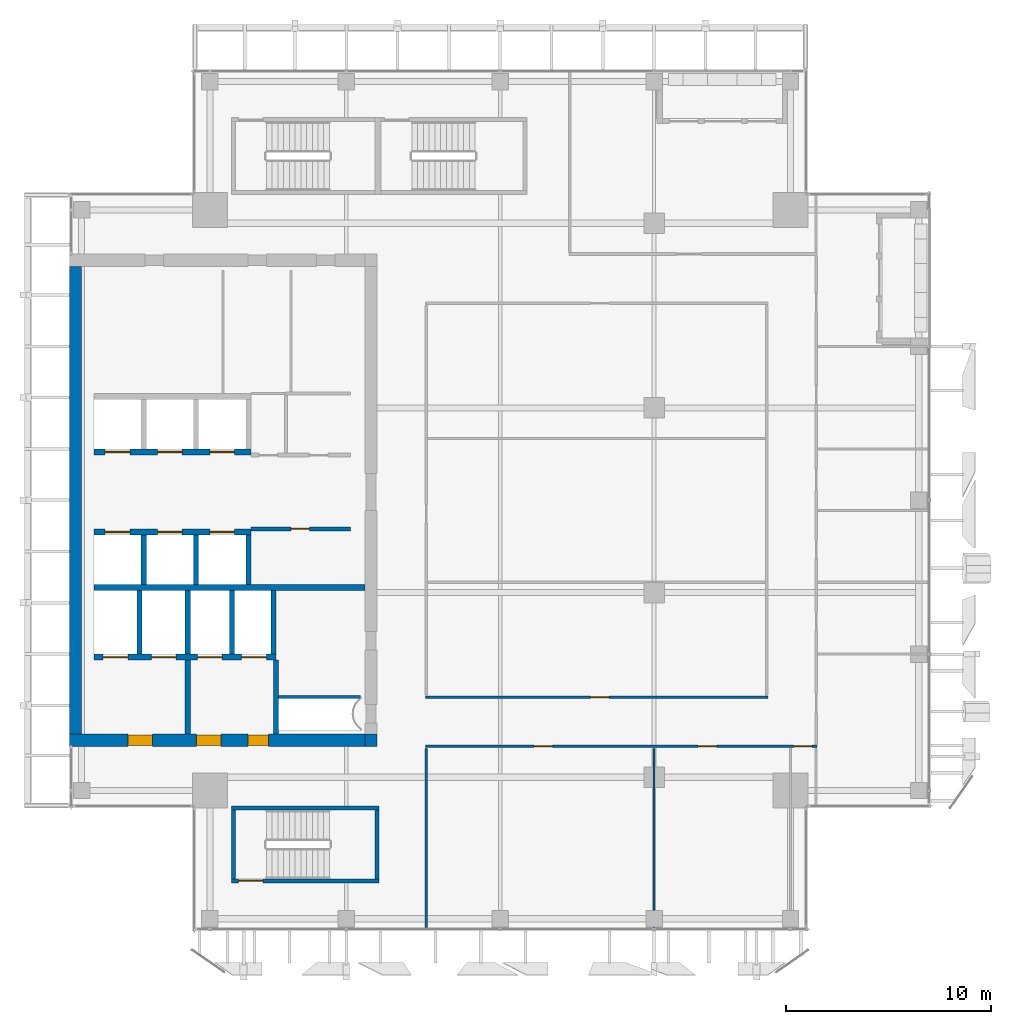
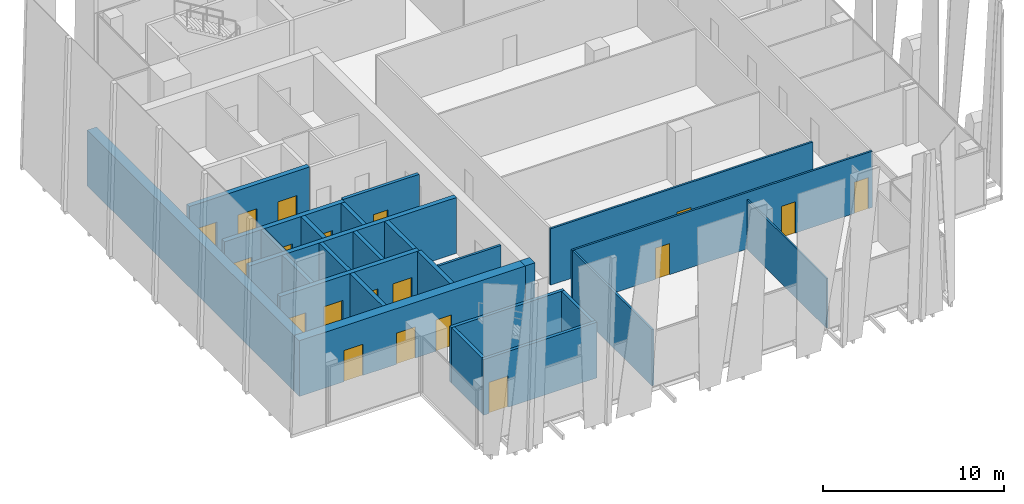
# One storey, part 26 of 33: 26 walls, 19 doors, 19 openings.
"""IFC4 building model written with IfcOpenShell, lengths in metres."""

import ifcopenshell
import ifcopenshell.guid

model = None  # the IFC model being written
_history = None  # IfcOwnerHistory: only IFC2X3 demands one
_inside = {}  # id of a spatial element -> (the spatial element, [elements in it])
_under = {}  # id of a project, library or spatial element -> (it, [spatial elements below it])
_declared = {}  # id of a project -> (the project, [libraries it declares])
_typed = {}  # id of a type object -> (the type object, [elements of that type])
_made_of = {}  # id of a material, layer set ... -> (it, [elements and type objects made of it])


def new_model(schema):
    """Start an empty IFC model of exactly this schema.

    Asked for "IFC4X3", IfcOpenShell would pick the latest addendum, in which some entities
    have other attributes; the version numbers below select the first issue.
    IFC2X3 requires an IfcOwnerHistory on every rooted entity: one is made here for all.
    """
    global model, _history
    if schema == "IFC4X3":
        model = ifcopenshell.file(schema_version=(4, 3, 0, 0))
    else:
        model = ifcopenshell.file(schema=schema)
    _inside.clear()
    _under.clear()
    _declared.clear()
    _typed.clear()
    _made_of.clear()
    _history = None
    if model.schema == "IFC2X3":
        org = make("IfcOrganization", Name="unknown")
        user = make(
            "IfcPersonAndOrganization",
            ThePerson=make("IfcPerson", FamilyName="unknown"),
            TheOrganization=org,
        )
        app = make(
            "IfcApplication",
            ApplicationDeveloper=org,
            Version="unknown",
            ApplicationFullName="unknown",
            ApplicationIdentifier="unknown",
        )
        _history = make(
            "IfcOwnerHistory",
            OwningUser=user,
            OwningApplication=app,
            ChangeAction="ADDED",
            CreationDate=0,
        )
    return model


def make(cls, **values):
    """One entity of the class cls with the attributes given. An attribute that is None is left unset."""
    return model.create_entity(
        cls, **{name: value for name, value in values.items() if value is not None}
    )


def rooted(cls, **values):
    """An entity with a GlobalId (a new one), such as an element, a storey or a relation."""
    return make(cls, GlobalId=ifcopenshell.guid.new(), OwnerHistory=_history, **values)


def si_unit(unit_type, name, prefix=None):
    """IfcSIUnit, for example si_unit("LENGTHUNIT", "METRE", prefix="MILLI")."""
    return make("IfcSIUnit", UnitType=unit_type, Prefix=prefix, Name=name)


def assignment(units):
    """IfcUnitAssignment: the units of a project."""
    return None if units is None else make("IfcUnitAssignment", Units=units)


def point(xyz):
    """IfcCartesianPoint."""
    return None if xyz is None else make("IfcCartesianPoint", Coordinates=xyz)


def direction(xyz):
    """IfcDirection."""
    return None if xyz is None else make("IfcDirection", DirectionRatios=xyz)


def frame(location, z_axis=None, x_axis=None):
    """IfcAxis2Placement3D, a coordinate frame: its origin and axes. An axis left out is left unset."""
    return make(
        "IfcAxis2Placement3D",
        Location=point(location),
        Axis=direction(z_axis),
        RefDirection=direction(x_axis),
    )


def frame_2d(location, x_axis=None):
    """IfcAxis2Placement2D, a coordinate frame in the plane: its origin and x axis."""
    return make(
        "IfcAxis2Placement2D", Location=point(location), RefDirection=direction(x_axis)
    )


def origin():
    """The frame at (0, 0, 0) with its axes left unset."""
    return frame((0.0, 0.0, 0.0))


def place(relative_to, where):
    """IfcLocalPlacement: puts the frame where relative to a parent placement (None: the world)."""
    return make(
        "IfcLocalPlacement", PlacementRelTo=relative_to, RelativePlacement=where
    )


def context(
    kind, dimensions, precision=None, world=None, true_north=None, identifier=None
):
    """IfcGeometricRepresentationContext, for example the 3D "Model" context."""
    return make(
        "IfcGeometricRepresentationContext",
        ContextIdentifier=identifier,
        ContextType=kind,
        CoordinateSpaceDimension=dimensions,
        Precision=precision,
        WorldCoordinateSystem=world,
        TrueNorth=true_north,
    )


def subcontext(parent, identifier, kind, view, scale=None):
    """IfcGeometricRepresentationSubContext, for example "Body" below "Model"."""
    return make(
        "IfcGeometricRepresentationSubContext",
        ContextIdentifier=identifier,
        ContextType=kind,
        ParentContext=parent,
        TargetScale=scale,
        TargetView=view,
    )


def project(units=None, contexts=None):
    """IfcProject with its units and contexts."""
    return rooted(
        "IfcProject",
        Name="project",
        RepresentationContexts=contexts,
        UnitsInContext=assignment(units),
    )


def spatial(cls, under=None, at=None, **own):
    """A site, building, storey or space (cls), placed at a placement, below another one or the project."""
    s = rooted(cls, ObjectPlacement=at, **own)
    if under is not None:
        _under.setdefault(under.id(), (under, []))[1].append(s)
    return s


def profile(cls, at=None, kind="AREA", **sizes):
    """A parametric profile (cls). Its sizes go by their IFC names, for example OverallWidth=200.0."""
    return make(cls, ProfileType=kind, Position=at, **sizes)


def rectangle(**sizes):
    """IfcRectangleProfileDef."""
    return profile("IfcRectangleProfileDef", **sizes)


def extrude(swept, where, along, depth):
    """IfcExtrudedAreaSolid: the profile swept, set in the frame where, extruded along a direction by depth."""
    return make(
        "IfcExtrudedAreaSolid",
        SweptArea=swept,
        Position=where,
        ExtrudedDirection=direction(along),
        Depth=depth,
    )


def shape(context_of_items, identifier, shape_type, items):
    """IfcShapeRepresentation: the items that make up one representation, for example the "Body"."""
    return make(
        "IfcShapeRepresentation",
        ContextOfItems=context_of_items,
        RepresentationIdentifier=identifier,
        RepresentationType=shape_type,
        Items=items,
    )


def source(mapping_origin, context_of_items, identifier, shape_type, items):
    """IfcRepresentationMap: a shape defined once, which mapped items show again and again."""
    return make(
        "IfcRepresentationMap",
        MappingOrigin=mapping_origin,
        MappedRepresentation=shape(context_of_items, identifier, shape_type, items),
    )


def transform(
    local_origin,
    x_axis=None,
    y_axis=None,
    z_axis=None,
    scale=None,
    scale2=None,
    scale3=None,
    uniform=True,
):
    """IfcCartesianTransformationOperator3D, or its non-uniform kind. x_axis, y_axis, z_axis: its Axis1, 2, 3."""
    if uniform:
        return make(
            "IfcCartesianTransformationOperator3D",
            Axis1=direction(x_axis),
            Axis2=direction(y_axis),
            LocalOrigin=point(local_origin),
            Scale=scale,
            Axis3=direction(z_axis),
        )
    return make(
        "IfcCartesianTransformationOperator3DnonUniform",
        Axis1=direction(x_axis),
        Axis2=direction(y_axis),
        LocalOrigin=point(local_origin),
        Scale=scale,
        Axis3=direction(z_axis),
        Scale2=scale2,
        Scale3=scale3,
    )


def mapped(mapping_source, mapping_target):
    """IfcMappedItem: shows the shape of a source again, moved by a transform."""
    return make(
        "IfcMappedItem", MappingSource=mapping_source, MappingTarget=mapping_target
    )


def material(Name=None, Category=None):
    """IfcMaterial."""
    return make("IfcMaterial", Name=Name, Category=Category)


def layer(
    of_material, thickness, ventilated=None, Name=None, Category=None, Priority=None
):
    """IfcMaterialLayer: one layer of a wall or slab, of a material (None: an air gap)."""
    return make(
        "IfcMaterialLayer",
        Material=of_material,
        LayerThickness=thickness,
        IsVentilated=ventilated,
        Name=Name,
        Category=Category,
        Priority=Priority,
    )


def layer_set(layers, Name=None):
    """IfcMaterialLayerSet."""
    return make("IfcMaterialLayerSet", MaterialLayers=layers, LayerSetName=Name)


def made_of(thing, what):
    """Note that an element or type object is made of a material, layer set ...; save() writes the relation."""
    if what is not None:
        _made_of.setdefault(what.id(), (what, []))[1].append(thing)
    return thing


def type_object(cls, material=None, **own):
    """A type object (cls), such as IfcWallType, which elements share."""
    return made_of(rooted(cls, **own), material)


def element(
    cls,
    number,
    at=None,
    inside=None,
    cuts=None,
    type_object=None,
    material=None,
    context=None,
    identifier="Body",
    shape_type=None,
    held_by="IfcProductDefinitionShape",
    body=None,
    shapes=None,
    **own,
):
    """One element of the class cls, such as IfcWall. Its Tag is "e" and its number.

    at: its placement. inside: the storey or other place that contains it. cuts: it is an
    opening in that element (IfcRelVoidsElement). A single representation is given by context,
    identifier, shape_type and body (its items); several are given by shapes. held_by: the class
    of the entity that holds the representations. save() writes the other relations.
    """
    e = rooted(cls, Tag="e%d" % number, ObjectPlacement=at, **own)
    if body is not None:
        shapes = [shape(context, identifier, shape_type, body)]
    if shapes is not None:
        e.Representation = make(held_by, Representations=shapes)
    if inside is not None:
        _inside.setdefault(inside.id(), (inside, []))[1].append(e)
    if cuts is not None:
        rooted(
            "IfcRelVoidsElement", RelatingBuildingElement=cuts, RelatedOpeningElement=e
        )
    if type_object is not None:
        _typed.setdefault(type_object.id(), (type_object, []))[1].append(e)
    return made_of(e, material)


def fill(opening, filler):
    """IfcRelFillsElement: the door or window that sits in an opening."""
    return rooted(
        "IfcRelFillsElement",
        RelatingOpeningElement=opening,
        RelatedBuildingElement=filler,
    )


def aggregate(whole, parts):
    """IfcRelAggregates: a whole, such as a stair, and the parts it consists of."""
    return rooted("IfcRelAggregates", RelatingObject=whole, RelatedObjects=parts)


def save(model, path):
    """Write the relations noted so far, then the file.

    IfcRelAggregates (storeys below a building ...), IfcRelContainedInSpatialStructure (elements
    in a storey), IfcRelDefinesByType, IfcRelAssociatesMaterial and IfcRelDeclares: one each for
    every whole, place, type object, material and project.
    """
    for whole, parts in _under.values():
        aggregate(whole, parts)
    for where, things in _inside.values():
        rooted(
            "IfcRelContainedInSpatialStructure",
            RelatedElements=things,
            RelatingStructure=where,
        )
    for kind, things in _typed.values():
        rooted("IfcRelDefinesByType", RelatedObjects=things, RelatingType=kind)
    for what, things in _made_of.values():
        rooted("IfcRelAssociatesMaterial", RelatedObjects=things, RelatingMaterial=what)
    for by, libraries in _declared.values():
        rooted("IfcRelDeclares", RelatingContext=by, RelatedDefinitions=libraries)
    model.write(path)


model = new_model("IFC4")

# Units and contexts
model_context = context("Model", 3, precision=1e-05, world=origin(), true_north=direction((0.0, 1.0)))
body_context = subcontext(model_context, "Body", "Model", "MODEL_VIEW")
ifc_project = project(units=[si_unit("LENGTHUNIT", "METRE"), si_unit("AREAUNIT", "SQUARE_METRE"), si_unit("VOLUMEUNIT", "CUBIC_METRE"), si_unit("PLANEANGLEUNIT", "RADIAN"), si_unit("MASSUNIT", "GRAM", prefix="KILO")], contexts=[model_context])

# Site, building, storey
site_placement = place(None, origin())
site = spatial("IfcSite", under=ifc_project, at=site_placement, CompositionType="ELEMENT")
building_placement = place(site_placement, origin())
building = spatial("IfcBuilding", under=site, at=building_placement, Name="Khomas Fold Tower", CompositionType="ELEMENT")
storey_placement = place(building_placement, frame((0.0, 0.0, 294.199951171875)))
storey = spatial("IfcBuildingStorey", under=building, at=storey_placement, Name="L66", CompositionType="ELEMENT", Elevation=294.199951171875)

# Wall
ifc_material_1 = material(Name="Concrete C50/60", Category="concrete")
ifc_layer_1 = layer(ifc_material_1, 0.199951171875)
ifc_layer_set_1 = layer_set([ifc_layer_1], Name="Concrete C50/60")
wall_type_1 = type_object("IfcWallType", Name="Stair wall 200", PredefinedType="SHEAR", material=ifc_layer_set_1)
shared_shape_1 = source(origin(), body_context, "Body", "SweptSolid", [
    extrude(rectangle(XDim=7.2001953125, YDim=0.199951171875, at=frame_2d((3.60009765625, 0.0))), origin(), (0.0, 0.0, 1.0), 3.75),
])
wall_1_placement = place(storey_placement, frame((13.89990234375, 12.0, 0.0), z_axis=(0.0, 0.0, 1.0), x_axis=(1.0, 0.0, 0.0)))
element("IfcWall", 1, at=wall_1_placement, inside=storey, type_object=wall_type_1, Name="Stair wall SW-ST2-NH", PredefinedType="SHEAR", context=body_context, shape_type="MappedRepresentation", body=[
    mapped(shared_shape_1, transform((0.0, 0.0, 0.0))),
])

# Wall, opening, door
wall_2_placement = place(storey_placement, frame((13.89990234375, 8.449951171875, 0.0), z_axis=(0.0, 0.0, 1.0), x_axis=(1.0, 0.0, 0.0)))
wall_2 = element("IfcWall", 2, at=wall_2_placement, inside=storey, type_object=wall_type_1, Name="Stair wall SW-ST2-S", PredefinedType="SHEAR", context=body_context, shape_type="MappedRepresentation", body=[
    mapped(shared_shape_1, transform((0.0, 0.0, 0.0))),
])
shared_shape_2 = source(origin(), body_context, "Body", "SweptSolid", [
    extrude(rectangle(XDim=1.199951171875, YDim=2.10009765625, at=frame_2d((0.60009765625, 1.050048828125))), frame((0.0, 0.10986328125, 0.0), z_axis=(0.0, -1.0, 0.0), x_axis=(1.0, 0.0, 0.0)), (0.0, 0.0, 1.0), 0.219970703125),
])
opening_1_placement = place(wall_2_placement, frame((0.35009765625, 0.0, 0.0)))
opening_1 = element("IfcOpeningElement", 3, at=opening_1_placement, cuts=wall_2, Name="Opening SD-ST2", PredefinedType="OPENING", context=body_context, shape_type="MappedRepresentation", body=[
    mapped(shared_shape_2, transform((0.0, 0.0, 0.0))),
])
ifc_material_2 = material(Name="Steel door leaf", Category="steel")
door_type_1 = type_object("IfcDoorType", Name="Stair door 1200x2100 right-hand", OperationType="SINGLE_SWING_RIGHT", PredefinedType="DOOR", material=ifc_material_2)
shared_shape_3 = source(origin(), body_context, "Body", "SweptSolid", [
    extrude(rectangle(XDim=1.199951171875, YDim=2.10009765625, at=frame_2d((0.60009765625, 1.050048828125))), frame((0.0, 0.02490234375, 0.0), z_axis=(0.0, -1.0, 0.0), x_axis=(1.0, 0.0, 0.0)), (0.0, 0.0, 1.0), 0.050048828125),
])
door_1_placement = place(opening_1_placement, origin())
door_1 = element("IfcDoor", 4, at=door_1_placement, inside=storey, type_object=door_type_1, Name="Stair door", OperationType="SINGLE_SWING_RIGHT", OverallHeight=2.10009765625, OverallWidth=1.199951171875, PredefinedType="DOOR", context=body_context, shape_type="MappedRepresentation", body=[
    mapped(shared_shape_3, transform((0.0, 0.0, 0.0))),
])
fill(opening_1, door_1)

# Walls
shared_shape_4 = source(origin(), body_context, "Body", "SweptSolid", [
    extrude(rectangle(XDim=3.349853515625, YDim=0.199951171875, at=frame_2d((1.6748046875, 0.0))), origin(), (0.0, 0.0, 1.0), 3.75),
])
for number, where, z_axis, x_axis, name in (
    (5, (21.0, 8.550048828125, 0.0), (0.0, 0.0, 1.0), (0.0, 1.0, 0.0), "Stair wall SW-ST2-E"),
    (6, (14.0, 8.550048828125, 0.0), (0.0, 0.0, 1.0), (0.0, 1.0, 0.0), "Stair wall SW-ST2-W"),
):
    element("IfcWall", number, at=place(storey_placement, frame(where, z_axis=z_axis, x_axis=x_axis)), inside=storey, type_object=wall_type_1, Name=name, PredefinedType="SHEAR", context=body_context, shape_type="MappedRepresentation", body=[
        mapped(shared_shape_4, transform((0.0, 0.0, 0.0))),
    ])
ifc_material_3 = material(Name="Concrete C50/60", Category="concrete")
ifc_layer_2 = layer(ifc_material_3, 0.25)
ifc_layer_set_2 = layer_set([ifc_layer_2], Name="Concrete C50/60")
wall_type_2 = type_object("IfcWallType", Name="Shaft wall 250", PredefinedType="STANDARD", material=ifc_layer_set_2)
shared_shape_5 = source(origin(), body_context, "Body", "SweptSolid", [
    extrude(rectangle(XDim=3.10009765625, YDim=0.25, at=frame_2d((1.550048828125, 0.0))), origin(), (0.0, 0.0, 1.0), 3.75),
])
for number, where, z_axis, x_axis, name in (
    (7, (9.425048828125, 19.5, 0.0), (0.0, 0.0, 1.0), (0.0, 1.0, 0.0), "Core wall SW-FS-P1"),
    (8, (11.77490234375, 19.5, 0.0), (0.0, 0.0, 1.0), (0.0, 1.0, 0.0), "Core wall SW-FS-P2"),
    (9, (13.925048828125, 19.5, 0.0), (0.0, 0.0, 1.0), (0.0, 1.0, 0.0), "Core wall SW-FS-P3"),
    (10, (15.949951171875, 19.5, 0.0), (0.0, 0.0, 1.0), (0.0, 1.0, 0.0), "Core wall SW-FS-PE"),
):
    element("IfcWall", number, at=place(storey_placement, frame(where, z_axis=z_axis, x_axis=x_axis)), inside=storey, type_object=wall_type_2, Name=name, PredefinedType="STANDARD", context=body_context, shape_type="MappedRepresentation", body=[
        mapped(shared_shape_5, transform((0.0, 0.0, 0.0))),
    ])
shared_shape_6 = source(origin(), body_context, "Body", "SweptSolid", [
    extrude(rectangle(XDim=2.400146484375, YDim=0.25, at=frame_2d((1.2001953125, 0.0))), origin(), (0.0, 0.0, 1.0), 3.75),
])
for number, where, z_axis, x_axis, name in (
    (11, (9.625, 22.89990234375, 0.0), (0.0, 0.0, 1.0), (0.0, 1.0, 0.0), "Core wall SW-HRS-P1"),
    (12, (12.175048828125, 22.89990234375, 0.0), (0.0, 0.0, 1.0), (0.0, 1.0, 0.0), "Core wall SW-HRS-P2"),
    (13, (14.72509765625, 22.89990234375, 0.0), (0.0, 0.0, 1.0), (0.0, 1.0, 0.0), "Core wall SW-HRS-PE"),
):
    element("IfcWall", number, at=place(storey_placement, frame(where, z_axis=z_axis, x_axis=x_axis)), inside=storey, type_object=wall_type_2, Name=name, PredefinedType="STANDARD", context=body_context, shape_type="MappedRepresentation", body=[
        mapped(shared_shape_6, transform((0.0, 0.0, 0.0))),
    ])

# Wall, openings, doors
ifc_material_4 = material(Name="Concrete C50/60", Category="concrete")
ifc_layer_3 = layer(ifc_material_4, 0.60009765625)
ifc_layer_set_3 = layer_set([ifc_layer_3], Name="Concrete C50/60")
wall_type_3 = type_object("IfcWallType", Name="Core wall 600", PredefinedType="SHEAR", material=ifc_layer_set_3)
shared_shape_7 = source(origin(), body_context, "Body", "SweptSolid", [
    extrude(rectangle(XDim=14.39990234375, YDim=0.60009765625, at=frame_2d((7.199951171875, 0.0))), origin(), (0.0, 0.0, 1.0), 3.75),
])
wall_3_placement = place(storey_placement, frame((6.0, 15.300048828125, 0.0), z_axis=(0.0, 0.0, 1.0), x_axis=(1.0, 0.0, 0.0)))
wall_3 = element("IfcWall", 14, at=wall_3_placement, inside=storey, type_object=wall_type_3, Name="Core wall CW-U-S-L63", PredefinedType="SHEAR", context=body_context, shape_type="MappedRepresentation", body=[
    mapped(shared_shape_7, transform((0.0, 0.0, 0.0))),
])
shared_shape_8 = source(origin(), body_context, "Body", "SweptSolid", [
    extrude(rectangle(XDim=1.199951171875, YDim=2.10009765625, at=frame_2d((0.60009765625, 1.050048828125))), frame((0.0, 0.31005859375, 0.0), z_axis=(0.0, -1.0, 0.0), x_axis=(1.0, 0.0, 0.0)), (0.0, 0.0, 1.0), 0.6201171875),
])
opening_2_placement = place(wall_3_placement, frame((6.199951171875, 0.0, 0.0)))
opening_2 = element("IfcOpeningElement", 15, at=opening_2_placement, cuts=wall_3, Name="Opening 0009", PredefinedType="OPENING", context=body_context, shape_type="MappedRepresentation", body=[
    mapped(shared_shape_8, transform((0.0, 0.0, 0.0))),
])
opening_3_placement = place(wall_3_placement, frame((2.85009765625, 0.0, 0.0)))
opening_3 = element("IfcOpeningElement", 16, at=opening_3_placement, cuts=wall_3, Name="Opening 0009", PredefinedType="OPENING", context=body_context, shape_type="MappedRepresentation", body=[
    mapped(shared_shape_8, transform((0.0, 0.0, 0.0))),
])
shared_shape_9 = source(origin(), body_context, "Body", "SweptSolid", [
    extrude(rectangle(XDim=1.0, YDim=2.10009765625, at=frame_2d((0.5, 1.050048828125))), frame((0.0, 0.31005859375, 0.0), z_axis=(0.0, -1.0, 0.0), x_axis=(1.0, 0.0, 0.0)), (0.0, 0.0, 1.0), 0.6201171875),
])
opening_4_placement = place(wall_3_placement, frame((8.699951171875, 0.0, 0.0)))
opening_4 = element("IfcOpeningElement", 17, at=opening_4_placement, cuts=wall_3, Name="Opening 0010", PredefinedType="OPENING", context=body_context, shape_type="MappedRepresentation", body=[
    mapped(shared_shape_9, transform((0.0, 0.0, 0.0))),
])
ifc_material_5 = material(Name="Steel door leaf", Category="steel")
door_type_2 = type_object("IfcDoorType", Name="Stair door 1000x2100 right-hand", OperationType="SINGLE_SWING_RIGHT", PredefinedType="DOOR", material=ifc_material_5)
shared_shape_10 = source(origin(), body_context, "Body", "SweptSolid", [
    extrude(rectangle(XDim=1.0, YDim=2.10009765625, at=frame_2d((0.5, 1.050048828125))), frame((0.0, 0.25, 0.0), z_axis=(0.0, -1.0, 0.0), x_axis=(1.0, 0.0, 0.0)), (0.0, 0.0, 1.0), 0.5),
])
door_2_placement = place(opening_4_placement, origin())
door_2 = element("IfcDoor", 18, at=door_2_placement, inside=storey, type_object=door_type_2, Name="Stair door", OperationType="SINGLE_SWING_RIGHT", OverallHeight=2.10009765625, OverallWidth=1.0, PredefinedType="DOOR", context=body_context, shape_type="MappedRepresentation", body=[
    mapped(shared_shape_10, transform((0.0, 0.0, 0.0))),
])
fill(opening_4, door_2)
ifc_material_6 = material(Name="Steel door leaf", Category="steel")
door_type_3 = type_object("IfcDoorType", Name="Lobby door 1200x2100 right-hand", OperationType="SINGLE_SWING_RIGHT", PredefinedType="DOOR", material=ifc_material_6)
shared_shape_11 = source(origin(), body_context, "Body", "SweptSolid", [
    extrude(rectangle(XDim=1.199951171875, YDim=2.10009765625, at=frame_2d((0.60009765625, 1.050048828125))), frame((0.0, 0.25, 0.0), z_axis=(0.0, -1.0, 0.0), x_axis=(1.0, 0.0, 0.0)), (0.0, 0.0, 1.0), 0.5),
])
door_3_placement = place(opening_2_placement, origin())
door_3 = element("IfcDoor", 19, at=door_3_placement, inside=storey, type_object=door_type_3, Name="Lobby door", OperationType="SINGLE_SWING_RIGHT", OverallHeight=2.10009765625, OverallWidth=1.199951171875, PredefinedType="DOOR", context=body_context, shape_type="MappedRepresentation", body=[
    mapped(shared_shape_11, transform((0.0, 0.0, 0.0))),
])
fill(opening_2, door_3)
door_4_placement = place(opening_3_placement, origin())
door_4 = element("IfcDoor", 20, at=door_4_placement, inside=storey, type_object=door_type_3, Name="Lobby door", OperationType="SINGLE_SWING_RIGHT", OverallHeight=2.10009765625, OverallWidth=1.199951171875, PredefinedType="DOOR", context=body_context, shape_type="MappedRepresentation", body=[
    mapped(shared_shape_11, transform((0.0, 0.0, 0.0))),
])
fill(opening_3, door_4)

# Walls
ifc_material_7 = material(Name="Concrete C50/60", Category="concrete")
ifc_layer_4 = layer(ifc_material_7, 0.60009765625)
ifc_layer_set_4 = layer_set([ifc_layer_4], Name="Concrete C50/60")
wall_type_4 = type_object("IfcWallType", Name="Core corner wall 600", PredefinedType="SHEAR", material=ifc_layer_set_4)
shared_shape_12 = source(origin(), body_context, "Body", "SweptSolid", [
    extrude(rectangle(XDim=0.60009765625, YDim=0.60009765625, at=frame_2d((0.300048828125, 0.0))), origin(), (0.0, 0.0, 1.0), 3.75),
])
wall_4_placement = place(storey_placement, frame((20.39990234375, 15.300048828125, 0.0), z_axis=(0.0, 0.0, 1.0), x_axis=(1.0, 0.0, 0.0)))
element("IfcWall", 21, at=wall_4_placement, inside=storey, type_object=wall_type_4, Name="Core wall CW-U-SE-L63", PredefinedType="SHEAR", context=body_context, shape_type="MappedRepresentation", body=[
    mapped(shared_shape_12, transform((0.0, 0.0, 0.0))),
])
shared_shape_13 = source(origin(), body_context, "Body", "SweptSolid", [
    extrude(rectangle(XDim=22.7998046875, YDim=0.60009765625, at=frame_2d((11.39990234375, 0.0))), origin(), (0.0, 0.0, 1.0), 3.75),
])
wall_5_placement = place(storey_placement, frame((6.300048828125, 15.60009765625, 0.0), z_axis=(0.0, 0.0, 1.0), x_axis=(0.0, 1.0, 0.0)))
element("IfcWall", 22, at=wall_5_placement, inside=storey, type_object=wall_type_3, Name="Core wall CW-U-W-L63", PredefinedType="SHEAR", context=body_context, shape_type="MappedRepresentation", body=[
    mapped(shared_shape_13, transform((0.0, 0.0, 0.0))),
])
ifc_material_8 = material(Name="Concrete C50/60", Category="concrete")
ifc_layer_5 = layer(ifc_material_8, 0.300048828125)
ifc_layer_set_5 = layer_set([ifc_layer_5], Name="Concrete C50/60")
wall_type_5 = type_object("IfcWallType", Name="Shaft wall 300", PredefinedType="STANDARD", material=ifc_layer_set_5)
shared_shape_14 = source(origin(), body_context, "Body", "SweptSolid", [
    extrude(rectangle(XDim=13.199951171875, YDim=0.300048828125, at=frame_2d((6.60009765625, 0.0))), origin(), (0.0, 0.0, 1.0), 3.75),
])
wall_6_placement = place(storey_placement, frame((7.199951171875, 22.75, 0.0), z_axis=(0.0, 0.0, 1.0), x_axis=(1.0, 0.0, 0.0)))
element("IfcWall", 23, at=wall_6_placement, inside=storey, type_object=wall_type_5, Name="Core wall SW-FS-B", PredefinedType="STANDARD", context=body_context, shape_type="MappedRepresentation", body=[
    mapped(shared_shape_14, transform((0.0, 0.0, 0.0))),
])

# Wall, openings, doors
shared_shape_15 = source(origin(), body_context, "Body", "SweptSolid", [
    extrude(rectangle(XDim=8.875, YDim=0.300048828125, at=frame_2d((4.4375, 0.0))), origin(), (0.0, 0.0, 1.0), 3.75),
])
wall_7_placement = place(storey_placement, frame((7.199951171875, 19.35009765625, 0.0), z_axis=(0.0, 0.0, 1.0), x_axis=(1.0, 0.0, 0.0)))
wall_7 = element("IfcWall", 24, at=wall_7_placement, inside=storey, type_object=wall_type_5, Name="Core wall SW-FS-F", PredefinedType="STANDARD", context=body_context, shape_type="MappedRepresentation", body=[
    mapped(shared_shape_15, transform((0.0, 0.0, 0.0))),
])
shared_shape_16 = source(origin(), body_context, "Body", "SweptSolid", [
    extrude(rectangle(XDim=1.199951171875, YDim=2.10009765625, at=frame_2d((0.60009765625, 1.050048828125))), frame((0.0, 0.159912109375, 0.0), z_axis=(0.0, -1.0, 0.0), x_axis=(1.0, 0.0, 0.0)), (0.0, 0.0, 1.0), 0.320068359375),
])
opening_5_placement = place(wall_7_placement, frame((0.449951171875, 0.0, 0.0)))
opening_5 = element("IfcOpeningElement", 25, at=opening_5_placement, cuts=wall_7, Name="Opening LD-SV1", PredefinedType="OPENING", context=body_context, shape_type="MappedRepresentation", body=[
    mapped(shared_shape_16, transform((0.0, 0.0, 0.0))),
])
opening_6_placement = place(wall_7_placement, frame((2.800048828125, 0.0, 0.0)))
opening_6 = element("IfcOpeningElement", 26, at=opening_6_placement, cuts=wall_7, Name="Opening LD-SV2", PredefinedType="OPENING", context=body_context, shape_type="MappedRepresentation", body=[
    mapped(shared_shape_16, transform((0.0, 0.0, 0.0))),
])
opening_7_placement = place(wall_7_placement, frame((5.050048828125, 0.0, 0.0)))
opening_7 = element("IfcOpeningElement", 27, at=opening_7_placement, cuts=wall_7, Name="Opening LD-FF1", PredefinedType="OPENING", context=body_context, shape_type="MappedRepresentation", body=[
    mapped(shared_shape_16, transform((0.0, 0.0, 0.0))),
])
opening_8_placement = place(wall_7_placement, frame((7.199951171875, 0.0, 0.0)))
opening_8 = element("IfcOpeningElement", 28, at=opening_8_placement, cuts=wall_7, Name="Opening LD-FF2", PredefinedType="OPENING", context=body_context, shape_type="MappedRepresentation", body=[
    mapped(shared_shape_16, transform((0.0, 0.0, 0.0))),
])
ifc_material_9 = material(Name="Steel door leaf", Category="steel")
door_type_4 = type_object("IfcDoorType", Name="Landing door 1200x2100", OperationType="DOUBLE_DOOR_SLIDING", PredefinedType="DOOR", material=ifc_material_9)
door_5_placement = place(opening_5_placement, origin())
door_5 = element("IfcDoor", 29, at=door_5_placement, inside=storey, type_object=door_type_4, Name="Lift landing door", OperationType="DOUBLE_DOOR_SLIDING", OverallHeight=2.10009765625, OverallWidth=1.199951171875, PredefinedType="DOOR", context=body_context, shape_type="MappedRepresentation", body=[
    mapped(shared_shape_3, transform((0.0, 0.0, 0.0))),
])
fill(opening_5, door_5)
door_6_placement = place(opening_6_placement, origin())
door_6 = element("IfcDoor", 30, at=door_6_placement, inside=storey, type_object=door_type_4, Name="Lift landing door", OperationType="DOUBLE_DOOR_SLIDING", OverallHeight=2.10009765625, OverallWidth=1.199951171875, PredefinedType="DOOR", context=body_context, shape_type="MappedRepresentation", body=[
    mapped(shared_shape_3, transform((0.0, 0.0, 0.0))),
])
fill(opening_6, door_6)
door_7_placement = place(opening_7_placement, origin())
door_7 = element("IfcDoor", 31, at=door_7_placement, inside=storey, type_object=door_type_4, Name="Lift landing door", OperationType="DOUBLE_DOOR_SLIDING", OverallHeight=2.10009765625, OverallWidth=1.199951171875, PredefinedType="DOOR", context=body_context, shape_type="MappedRepresentation", body=[
    mapped(shared_shape_3, transform((0.0, 0.0, 0.0))),
])
fill(opening_7, door_7)
door_8_placement = place(opening_8_placement, origin())
door_8 = element("IfcDoor", 32, at=door_8_placement, inside=storey, type_object=door_type_4, Name="Lift landing door", OperationType="DOUBLE_DOOR_SLIDING", OverallHeight=2.10009765625, OverallWidth=1.199951171875, PredefinedType="DOOR", context=body_context, shape_type="MappedRepresentation", body=[
    mapped(shared_shape_3, transform((0.0, 0.0, 0.0))),
])
fill(opening_8, door_8)

shared_shape_17 = source(origin(), body_context, "Body", "SweptSolid", [
    extrude(rectangle(XDim=7.650146484375, YDim=0.300048828125, at=frame_2d((3.8251953125, 0.0))), origin(), (0.0, 0.0, 1.0), 3.75),
])
wall_8_placement = place(storey_placement, frame((7.199951171875, 29.35009765625, 0.0), z_axis=(0.0, 0.0, 1.0), x_axis=(1.0, 0.0, 0.0)))
wall_8 = element("IfcWall", 33, at=wall_8_placement, inside=storey, type_object=wall_type_5, Name="Core wall SW-HRN-F", PredefinedType="STANDARD", context=body_context, shape_type="MappedRepresentation", body=[
    mapped(shared_shape_17, transform((0.0, 0.0, 0.0))),
])
opening_9_placement = place(wall_8_placement, frame((0.550048828125, 0.0, 0.0)))
opening_9 = element("IfcOpeningElement", 34, at=opening_9_placement, cuts=wall_8, Name="Opening LD-HR4", PredefinedType="OPENING", context=body_context, shape_type="MappedRepresentation", body=[
    mapped(shared_shape_16, transform((0.0, 0.0, 0.0))),
])
opening_10_placement = place(wall_8_placement, frame((3.10009765625, 0.0, 0.0)))
opening_10 = element("IfcOpeningElement", 35, at=opening_10_placement, cuts=wall_8, Name="Opening LD-HR5", PredefinedType="OPENING", context=body_context, shape_type="MappedRepresentation", body=[
    mapped(shared_shape_16, transform((0.0, 0.0, 0.0))),
])
opening_11_placement = place(wall_8_placement, frame((5.64990234375, 0.0, 0.0)))
opening_11 = element("IfcOpeningElement", 36, at=opening_11_placement, cuts=wall_8, Name="Opening LD-HR6", PredefinedType="OPENING", context=body_context, shape_type="MappedRepresentation", body=[
    mapped(shared_shape_16, transform((0.0, 0.0, 0.0))),
])
door_9_placement = place(opening_9_placement, origin())
door_9 = element("IfcDoor", 37, at=door_9_placement, inside=storey, type_object=door_type_4, Name="Lift landing door", OperationType="DOUBLE_DOOR_SLIDING", OverallHeight=2.10009765625, OverallWidth=1.199951171875, PredefinedType="DOOR", context=body_context, shape_type="MappedRepresentation", body=[
    mapped(shared_shape_3, transform((0.0, 0.0, 0.0))),
])
fill(opening_9, door_9)
door_10_placement = place(opening_10_placement, origin())
door_10 = element("IfcDoor", 38, at=door_10_placement, inside=storey, type_object=door_type_4, Name="Lift landing door", OperationType="DOUBLE_DOOR_SLIDING", OverallHeight=2.10009765625, OverallWidth=1.199951171875, PredefinedType="DOOR", context=body_context, shape_type="MappedRepresentation", body=[
    mapped(shared_shape_3, transform((0.0, 0.0, 0.0))),
])
fill(opening_10, door_10)
door_11_placement = place(opening_11_placement, origin())
door_11 = element("IfcDoor", 39, at=door_11_placement, inside=storey, type_object=door_type_4, Name="Lift landing door", OperationType="DOUBLE_DOOR_SLIDING", OverallHeight=2.10009765625, OverallWidth=1.199951171875, PredefinedType="DOOR", context=body_context, shape_type="MappedRepresentation", body=[
    mapped(shared_shape_3, transform((0.0, 0.0, 0.0))),
])
fill(opening_11, door_11)

wall_9_placement = place(storey_placement, frame((7.199951171875, 25.449951171875, 0.0), z_axis=(0.0, 0.0, 1.0), x_axis=(1.0, 0.0, 0.0)))
wall_9 = element("IfcWall", 40, at=wall_9_placement, inside=storey, type_object=wall_type_5, Name="Core wall SW-HRS-F", PredefinedType="STANDARD", context=body_context, shape_type="MappedRepresentation", body=[
    mapped(shared_shape_17, transform((0.0, 0.0, 0.0))),
])
opening_12_placement = place(wall_9_placement, frame((0.550048828125, 0.0, 0.0)))
opening_12 = element("IfcOpeningElement", 41, at=opening_12_placement, cuts=wall_9, Name="Opening LD-HR1", PredefinedType="OPENING", context=body_context, shape_type="MappedRepresentation", body=[
    mapped(shared_shape_16, transform((0.0, 0.0, 0.0))),
])
opening_13_placement = place(wall_9_placement, frame((3.10009765625, 0.0, 0.0)))
opening_13 = element("IfcOpeningElement", 42, at=opening_13_placement, cuts=wall_9, Name="Opening LD-HR2", PredefinedType="OPENING", context=body_context, shape_type="MappedRepresentation", body=[
    mapped(shared_shape_16, transform((0.0, 0.0, 0.0))),
])
opening_14_placement = place(wall_9_placement, frame((5.64990234375, 0.0, 0.0)))
opening_14 = element("IfcOpeningElement", 43, at=opening_14_placement, cuts=wall_9, Name="Opening LD-HR3", PredefinedType="OPENING", context=body_context, shape_type="MappedRepresentation", body=[
    mapped(shared_shape_16, transform((0.0, 0.0, 0.0))),
])
door_12_placement = place(opening_12_placement, origin())
door_12 = element("IfcDoor", 44, at=door_12_placement, inside=storey, type_object=door_type_4, Name="Lift landing door", OperationType="DOUBLE_DOOR_SLIDING", OverallHeight=2.10009765625, OverallWidth=1.199951171875, PredefinedType="DOOR", context=body_context, shape_type="MappedRepresentation", body=[
    mapped(shared_shape_3, transform((0.0, 0.0, 0.0))),
])
fill(opening_12, door_12)
door_13_placement = place(opening_13_placement, origin())
door_13 = element("IfcDoor", 45, at=door_13_placement, inside=storey, type_object=door_type_4, Name="Lift landing door", OperationType="DOUBLE_DOOR_SLIDING", OverallHeight=2.10009765625, OverallWidth=1.199951171875, PredefinedType="DOOR", context=body_context, shape_type="MappedRepresentation", body=[
    mapped(shared_shape_3, transform((0.0, 0.0, 0.0))),
])
fill(opening_13, door_13)
door_14_placement = place(opening_14_placement, origin())
door_14 = element("IfcDoor", 46, at=door_14_placement, inside=storey, type_object=door_type_4, Name="Lift landing door", OperationType="DOUBLE_DOOR_SLIDING", OverallHeight=2.10009765625, OverallWidth=1.199951171875, PredefinedType="DOOR", context=body_context, shape_type="MappedRepresentation", body=[
    mapped(shared_shape_3, transform((0.0, 0.0, 0.0))),
])
fill(opening_14, door_14)

# Walls
ifc_material_10 = material(Name="Concrete C50/60", Category="concrete")
ifc_layer_6 = layer(ifc_material_10, 0.25)
ifc_layer_set_6 = layer_set([ifc_layer_6], Name="Concrete C50/60")
wall_type_6 = type_object("IfcWallType", Name="Lobby wall 250", PredefinedType="STANDARD", material=ifc_layer_set_6)
shared_shape_18 = source(origin(), body_context, "Body", "SweptSolid", [
    extrude(rectangle(XDim=3.599853515625, YDim=0.25, at=frame_2d((1.7998046875, 0.0))), origin(), (0.0, 0.0, 1.0), 3.75),
])
for number, where, z_axis, x_axis, name in (
    (47, (16.074951171875, 15.60009765625, 0.0), (0.0, 0.0, 1.0), (0.0, 1.0, 0.0), "Core wall SW-FS-LOB-E"),
    (48, (11.77490234375, 15.60009765625, 0.0), (0.0, 0.0, 1.0), (0.0, 1.0, 0.0), "Core wall SW-FS-SEP"),
):
    element("IfcWall", number, at=place(storey_placement, frame(where, z_axis=z_axis, x_axis=x_axis)), inside=storey, type_object=wall_type_6, Name=name, PredefinedType="STANDARD", context=body_context, shape_type="MappedRepresentation", body=[
        mapped(shared_shape_18, transform((0.0, 0.0, 0.0))),
    ])
ifc_material_11 = material(Name="Plasterboard fire partition")
ifc_layer_7 = layer(ifc_material_11, 0.14990234375)
ifc_layer_set_7 = layer_set([ifc_layer_7], Name="Plasterboard fire partition")
wall_type_7 = type_object("IfcWallType", Name="Plant room wall PW3 150", PredefinedType="PARTITIONING", material=ifc_layer_set_7)
shared_shape_19 = source(origin(), body_context, "Body", "SweptSolid", [
    extrude(rectangle(XDim=4.0, YDim=0.14990234375, at=frame_2d((2.0, 0.0))), origin(), (0.0, 0.0, 1.0), 3.800048828125),
])
wall_10_placement = place(storey_placement, frame((16.199951171875, 17.39990234375, 0.0), z_axis=(0.0, 0.0, 1.0), x_axis=(1.0, 0.0, 0.0)))
element("IfcWall", 49, at=wall_10_placement, inside=storey, type_object=wall_type_7, Name="Plant room wall", PredefinedType="PARTITIONING", context=body_context, shape_type="MappedRepresentation", body=[
    mapped(shared_shape_19, transform((0.0, 0.0, 0.0))),
])

# Wall, opening, door
ifc_material_12 = material(Name="Concrete C30/37", Category="concrete")
ifc_layer_8 = layer(ifc_material_12, 0.199951171875)
ifc_layer_set_8 = layer_set([ifc_layer_8], Name="Concrete C30/37")
wall_type_8 = type_object("IfcWallType", Name="Lobby wall PW4 200", PredefinedType="PARTITIONING", material=ifc_layer_set_8)
shared_shape_20 = source(origin(), body_context, "Body", "SweptSolid", [
    extrude(rectangle(XDim=4.849853515625, YDim=0.199951171875, at=frame_2d((2.4248046875, 0.0))), origin(), (0.0, 0.0, 1.0), 3.800048828125),
])
wall_11_placement = place(storey_placement, frame((14.85009765625, 25.60009765625, 0.0), z_axis=(0.0, 0.0, 1.0), x_axis=(1.0, 0.0, 0.0)))
wall_11 = element("IfcWall", 50, at=wall_11_placement, inside=storey, type_object=wall_type_8, Name="Lobby wall", PredefinedType="PARTITIONING", context=body_context, shape_type="MappedRepresentation", body=[
    mapped(shared_shape_20, transform((0.0, 0.0, 0.0))),
])
shared_shape_21 = source(origin(), body_context, "Body", "SweptSolid", [
    extrude(rectangle(XDim=0.89990234375, YDim=2.10009765625, at=frame_2d((0.449951171875, 1.050048828125))), frame((0.0, 0.10986328125, 0.0), z_axis=(0.0, -1.0, 0.0), x_axis=(1.0, 0.0, 0.0)), (0.0, 0.0, 1.0), 0.219970703125),
])
opening_15_placement = place(wall_11_placement, frame((1.949951171875, 0.0, 0.0)))
opening_15 = element("IfcOpeningElement", 51, at=opening_15_placement, cuts=wall_11, Name="Opening 0002", PredefinedType="OPENING", context=body_context, shape_type="MappedRepresentation", body=[
    mapped(shared_shape_21, transform((0.0, 0.0, 0.0))),
])
ifc_material_13 = material(Name="Steel door leaf", Category="steel")
door_type_5 = type_object("IfcDoorType", Name="Plant room door 900x2100 left-hand", OperationType="SINGLE_SWING_LEFT", PredefinedType="DOOR", material=ifc_material_13)
shared_shape_22 = source(origin(), body_context, "Body", "SweptSolid", [
    extrude(rectangle(XDim=0.89990234375, YDim=2.10009765625, at=frame_2d((0.449951171875, 1.050048828125))), frame((0.0, 0.02490234375, 0.0), z_axis=(0.0, -1.0, 0.0), x_axis=(1.0, 0.0, 0.0)), (0.0, 0.0, 1.0), 0.050048828125),
])
door_15_placement = place(opening_15_placement, origin())
door_15 = element("IfcDoor", 52, at=door_15_placement, inside=storey, type_object=door_type_5, Name="Plant room door", OperationType="SINGLE_SWING_LEFT", OverallHeight=2.10009765625, OverallWidth=0.89990234375, PredefinedType="DOOR", context=body_context, shape_type="MappedRepresentation", body=[
    mapped(shared_shape_22, transform((0.0, 0.0, 0.0))),
])
fill(opening_15, door_15)

# Walls
ifc_material_14 = material(Name="Plasterboard partition")
ifc_layer_9 = layer(ifc_material_14, 0.125)
ifc_layer_set_9 = layer_set([ifc_layer_9], Name="Plasterboard partition")
wall_type_9 = type_object("IfcWallType", Name="Partition PW2 125", PredefinedType="PARTITIONING", material=ifc_layer_set_9)
shared_shape_23 = source(origin(), body_context, "Body", "SweptSolid", [
    extrude(rectangle(XDim=8.75, YDim=0.125, at=frame_2d((4.375, 0.0))), origin(), (0.0, 0.0, 1.0), 3.800048828125),
])
wall_12_placement = place(storey_placement, frame((23.39990234375, 6.14990234375, 0.0), z_axis=(0.0, 0.0, 1.0), x_axis=(0.0, 1.0, 0.0)))
element("IfcWall", 53, at=wall_12_placement, inside=storey, type_object=wall_type_9, Name="Partition", PredefinedType="PARTITIONING", context=body_context, shape_type="MappedRepresentation", body=[
    mapped(shared_shape_23, transform((0.0, 0.0, 0.0))),
])
ifc_material_15 = material(Name="Plasterboard partition")
ifc_layer_10 = layer(ifc_material_15, 0.10009765625)
ifc_layer_set_10 = layer_set([ifc_layer_10], Name="Plasterboard partition")
wall_type_10 = type_object("IfcWallType", Name="Partition PW1 100", PredefinedType="PARTITIONING", material=ifc_layer_set_10)
shared_shape_24 = source(origin(), body_context, "Body", "SweptSolid", [
    extrude(rectangle(XDim=8.75, YDim=0.10009765625, at=frame_2d((4.375, 0.0))), origin(), (0.0, 0.0, 1.0), 3.35009765625),
])
wall_13_placement = place(storey_placement, frame((34.5, 6.14990234375, 0.0), z_axis=(0.0, 0.0, 1.0), x_axis=(0.0, 1.0, 0.0)))
element("IfcWall", 54, at=wall_13_placement, inside=storey, type_object=wall_type_10, Name="Partition", PredefinedType="PARTITIONING", context=body_context, shape_type="MappedRepresentation", body=[
    mapped(shared_shape_24, transform((0.0, 0.0, 0.0))),
])

# Wall, openings, doors
shared_shape_25 = source(origin(), body_context, "Body", "SweptSolid", [
    extrude(rectangle(XDim=19.099853515625, YDim=0.125, at=frame_2d((9.5498046875, 0.0))), origin(), (0.0, 0.0, 1.0), 3.800048828125),
])
wall_14_placement = place(storey_placement, frame((23.35009765625, 15.0, 0.0), z_axis=(0.0, 0.0, 1.0), x_axis=(1.0, 0.0, 0.0)))
wall_14 = element("IfcWall", 55, at=wall_14_placement, inside=storey, type_object=wall_type_9, Name="Partition", PredefinedType="PARTITIONING", context=body_context, shape_type="MappedRepresentation", body=[
    mapped(shared_shape_25, transform((0.0, 0.0, 0.0))),
])
shared_shape_26 = source(origin(), body_context, "Body", "SweptSolid", [
    extrude(rectangle(XDim=0.89990234375, YDim=2.10009765625, at=frame_2d((0.449951171875, 1.050048828125))), frame((0.0, 0.072509765625, 0.0), z_axis=(0.0, -1.0, 0.0), x_axis=(1.0, 0.0, 0.0)), (0.0, 0.0, 1.0), 0.14501953125),
])
opening_16_placement = place(wall_14_placement, frame((5.300048828125, 0.0, 0.0)))
opening_16 = element("IfcOpeningElement", 56, at=opening_16_placement, cuts=wall_14, Name="Opening 0008", PredefinedType="OPENING", context=body_context, shape_type="MappedRepresentation", body=[
    mapped(shared_shape_26, transform((0.0, 0.0, 0.0))),
])
opening_17_placement = place(wall_14_placement, frame((13.300048828125, 0.0, 0.0)))
opening_17 = element("IfcOpeningElement", 57, at=opening_17_placement, cuts=wall_14, Name="Opening 0007", PredefinedType="OPENING", context=body_context, shape_type="MappedRepresentation", body=[
    mapped(shared_shape_26, transform((0.0, 0.0, 0.0))),
])
opening_18_placement = place(wall_14_placement, frame((17.949951171875, 0.0, 0.0)))
opening_18 = element("IfcOpeningElement", 58, at=opening_18_placement, cuts=wall_14, Name="Opening 0008", PredefinedType="OPENING", context=body_context, shape_type="MappedRepresentation", body=[
    mapped(shared_shape_26, transform((0.0, 0.0, 0.0))),
])
ifc_material_16 = material(Name="Timber door leaf", Category="wood")
door_type_6 = type_object("IfcDoorType", Name="Door 900x2100 right-hand", OperationType="SINGLE_SWING_RIGHT", PredefinedType="DOOR", material=ifc_material_16)
door_16_placement = place(opening_16_placement, origin())
door_16 = element("IfcDoor", 59, at=door_16_placement, inside=storey, type_object=door_type_6, Name="Door", OperationType="SINGLE_SWING_RIGHT", OverallHeight=2.10009765625, OverallWidth=0.89990234375, PredefinedType="DOOR", context=body_context, shape_type="MappedRepresentation", body=[
    mapped(shared_shape_22, transform((0.0, 0.0, 0.0))),
])
fill(opening_16, door_16)
ifc_material_17 = material(Name="Timber door leaf", Category="wood")
door_type_7 = type_object("IfcDoorType", Name="Door 900x2100 left-hand", OperationType="SINGLE_SWING_LEFT", PredefinedType="DOOR", material=ifc_material_17)
door_17_placement = place(opening_17_placement, origin())
door_17 = element("IfcDoor", 60, at=door_17_placement, inside=storey, type_object=door_type_7, Name="Door", OperationType="SINGLE_SWING_LEFT", OverallHeight=2.10009765625, OverallWidth=0.89990234375, PredefinedType="DOOR", context=body_context, shape_type="MappedRepresentation", body=[
    mapped(shared_shape_22, transform((0.0, 0.0, 0.0))),
])
fill(opening_17, door_17)
door_18_placement = place(opening_18_placement, origin())
door_18 = element("IfcDoor", 61, at=door_18_placement, inside=storey, type_object=door_type_6, Name="Door", OperationType="SINGLE_SWING_RIGHT", OverallHeight=2.10009765625, OverallWidth=0.89990234375, PredefinedType="DOOR", context=body_context, shape_type="MappedRepresentation", body=[
    mapped(shared_shape_22, transform((0.0, 0.0, 0.0))),
])
fill(opening_18, door_18)

# Wall, opening, door
shared_shape_27 = source(origin(), body_context, "Body", "SweptSolid", [
    extrude(rectangle(XDim=16.699951171875, YDim=0.125, at=frame_2d((8.35009765625, 0.0))), origin(), (0.0, 0.0, 1.0), 3.800048828125),
])
wall_15_placement = place(storey_placement, frame((23.35009765625, 17.39990234375, 0.0), z_axis=(0.0, 0.0, 1.0), x_axis=(1.0, 0.0, 0.0)))
wall_15 = element("IfcWall", 62, at=wall_15_placement, inside=storey, type_object=wall_type_9, Name="Partition", PredefinedType="PARTITIONING", context=body_context, shape_type="MappedRepresentation", body=[
    mapped(shared_shape_27, transform((0.0, 0.0, 0.0))),
])
opening_19_placement = place(wall_15_placement, frame((8.050048828125, 0.0, 0.0)))
opening_19 = element("IfcOpeningElement", 63, at=opening_19_placement, cuts=wall_15, Name="Opening 0007", PredefinedType="OPENING", context=body_context, shape_type="MappedRepresentation", body=[
    mapped(shared_shape_26, transform((0.0, 0.0, 0.0))),
])
door_19_placement = place(opening_19_placement, origin())
door_19 = element("IfcDoor", 64, at=door_19_placement, inside=storey, type_object=door_type_7, Name="Door", OperationType="SINGLE_SWING_LEFT", OverallHeight=2.10009765625, OverallWidth=0.89990234375, PredefinedType="DOOR", context=body_context, shape_type="MappedRepresentation", body=[
    mapped(shared_shape_22, transform((0.0, 0.0, 0.0))),
])
fill(opening_19, door_19)

save(model, "model.ifc")
